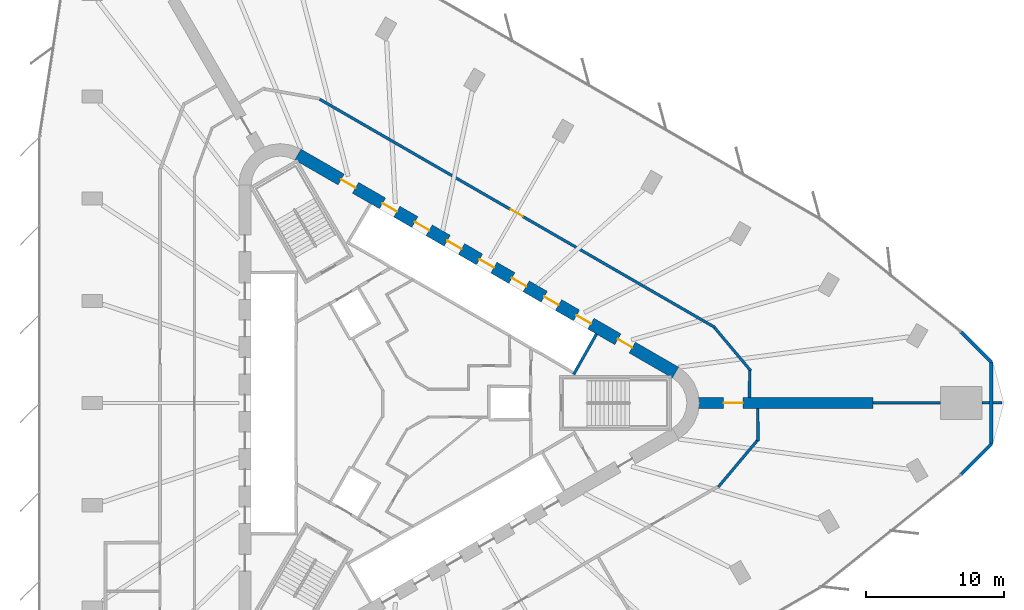
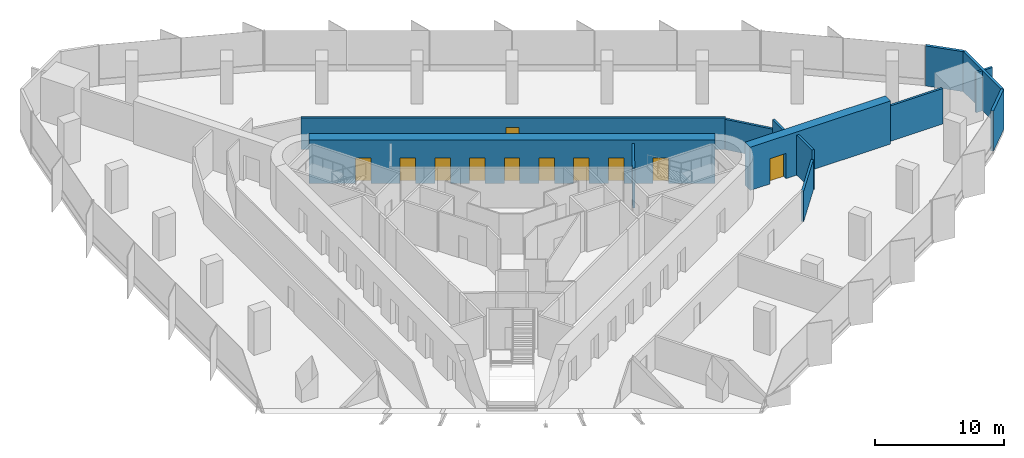
# One storey, part 13 of 15: 14 walls, 11 doors, 11 openings.
"""IFC4 building model written with IfcOpenShell, lengths in metres."""

from ifc_helpers import new_model, si_unit, direction, frame, frame_2d, origin, place, context, subcontext, project, spatial, rectangle, extrude, material, layer, layer_set, type_object, element, fill, save


model = new_model("IFC4")

# Units and contexts
model_context = context("Model", 3, precision=1e-05, world=origin(), true_north=direction((0.0, 1.0)))
body_context = subcontext(model_context, "Body", "Model", "MODEL_VIEW")
ifc_project = project(units=[si_unit("LENGTHUNIT", "METRE"), si_unit("AREAUNIT", "SQUARE_METRE"), si_unit("VOLUMEUNIT", "CUBIC_METRE"), si_unit("PLANEANGLEUNIT", "RADIAN"), si_unit("MASSUNIT", "GRAM", prefix="KILO")], contexts=[model_context])

# Site, building, storey
site_placement = place(None, origin())
site = spatial("IfcSite", under=ifc_project, at=site_placement, CompositionType="ELEMENT")
building_placement = place(site_placement, origin())
building = spatial("IfcBuilding", under=site, at=building_placement, Name="Tanit Gate Tower", CompositionType="ELEMENT")
storey_placement = place(building_placement, frame((0.0, 0.0, 139.800048828125)))
storey = spatial("IfcBuildingStorey", under=building, at=storey_placement, Name="L30", CompositionType="ELEMENT", Elevation=139.800048828125)

# Wall, opening, door
ifc_material_1 = material(Name="Concrete C60/75", Category="concrete")
ifc_layer_1 = layer(ifc_material_1, 0.800048828125)
ifc_layer_set_1 = layer_set([ifc_layer_1], Name="BUTTRESS FIN 800 C60/75")
wall_type_1 = type_object("IfcWallType", Name="BUTTRESS FIN 800 C60/75", PredefinedType="SHEAR", material=ifc_layer_set_1)
wall_1_placement = place(storey_placement, frame((21.14990234375, 0.0, 0.0), z_axis=(0.0, 0.0, 1.0), x_axis=(1.0, 0.0, 0.0)))
wall_1 = element("IfcWall", 1, at=wall_1_placement, inside=storey, type_object=wall_type_1, Name="BUTTRESS FIN", PredefinedType="SHEAR", context=body_context, shape_type="SweptSolid", body=[
    extrude(rectangle(XDim=12.59814453125, YDim=0.800048828125, at=frame_2d((6.299072265625, 0.0))), origin(), (0.0, 0.0, 1.0), 4.099853515625),
])
opening_1_placement = place(wall_1_placement, frame((1.800048828125, 0.0, 0.0)))
opening_1 = element("IfcOpeningElement", 2, at=opening_1_placement, cuts=wall_1, Name="Opening P14-S07-F-E-1", PredefinedType="OPENING", context=body_context, shape_type="SweptSolid", body=[
    extrude(rectangle(XDim=1.39990234375, YDim=2.39990234375, at=frame_2d((0.699951171875, 1.199951171875))), frame((0.0, 0.41015625, 0.0), z_axis=(0.0, -1.0, 0.0), x_axis=(1.0, 0.0, 0.0)), (0.0, 0.0, 1.0), 0.820068359375),
])
ifc_material_2 = material(Name="Timber door leaf", Category="wood")
door_type_1 = type_object("IfcDoorType", Name="INT-DOOR-FIN-PAIR-1400", OperationType="NOTDEFINED", PredefinedType="NOTDEFINED", material=ifc_material_2)
door_1_placement = place(opening_1_placement, origin())
door_1 = element("IfcDoor", 3, at=door_1_placement, inside=storey, type_object=door_type_1, Name="Door P14-S07-F-E-1", OperationType="DOUBLE_DOOR_SINGLE_SWING", OverallHeight=2.39990234375, OverallWidth=1.39990234375, PredefinedType="NOTDEFINED", context=body_context, shape_type="SweptSolid", body=[
    extrude(rectangle(XDim=1.39990234375, YDim=2.39990234375, at=frame_2d((0.699951171875, 1.199951171875))), frame((0.0, 0.02490234375, 0.0), z_axis=(0.0, -1.0, 0.0), x_axis=(1.0, 0.0, 0.0)), (0.0, 0.0, 1.0), 0.050048828125),
])
fill(opening_1, door_1)

# Wall, openings, doors
ifc_material_3 = material(Name="Concrete C60/75", Category="concrete")
ifc_layer_2 = layer(ifc_material_3, 0.89990234375)
ifc_layer_set_2 = layer_set([ifc_layer_2], Name="CORE WALL 900 C60/75")
wall_type_2 = type_object("IfcWallType", Name="CORE WALL 900 C60/75", PredefinedType="SHEAR", material=ifc_layer_set_2)
wall_2_placement = place(storey_placement, frame((19.47509765625, 2.20849609375, 0.0), z_axis=(0.0, 0.0, 1.0), x_axis=(-0.866028369851, 0.499994862586, 0.0)))
wall_2 = element("IfcWall", 4, at=wall_2_placement, inside=storey, type_object=wall_type_2, Name="CORE WALL", PredefinedType="SHEAR", context=body_context, shape_type="SweptSolid", body=[
    extrude(rectangle(XDim=31.523193359375, YDim=0.89990234375, at=frame_2d((15.76171875, 0.0))), origin(), (0.0, 0.0, 1.0), 4.099853515625),
])
opening_2_placement = place(wall_2_placement, frame((7.0615234375, 0.0, 0.0)))
opening_2 = element("IfcOpeningElement", 5, at=opening_2_placement, cuts=wall_2, Name="Opening LDLL8-S07", PredefinedType="OPENING", context=body_context, shape_type="SweptSolid", body=[
    extrude(rectangle(XDim=1.199951171875, YDim=2.39990234375, at=frame_2d((0.60009765625, 1.199951171875))), frame((0.0, 0.4599609375, 0.0), z_axis=(0.0, -1.0, 0.0), x_axis=(1.0, 0.0, 0.0)), (0.0, 0.0, 1.0), 0.919921875),
])
opening_3_placement = place(wall_2_placement, frame((9.76171875, 0.0, 0.0)))
opening_3 = element("IfcOpeningElement", 6, at=opening_3_placement, cuts=wall_2, Name="Opening LDLL9-S07", PredefinedType="OPENING", context=body_context, shape_type="SweptSolid", body=[
    extrude(rectangle(XDim=1.199951171875, YDim=2.39990234375, at=frame_2d((0.60009765625, 1.199951171875))), frame((0.0, 0.4599609375, 0.0), z_axis=(0.0, -1.0, 0.0), x_axis=(1.0, 0.0, 0.0)), (0.0, 0.0, 1.0), 0.919921875),
])
opening_4_placement = place(wall_2_placement, frame((12.461669921875, 0.0, 0.0)))
opening_4 = element("IfcOpeningElement", 7, at=opening_4_placement, cuts=wall_2, Name="Opening LDLL10-S07", PredefinedType="OPENING", context=body_context, shape_type="SweptSolid", body=[
    extrude(rectangle(XDim=1.199951171875, YDim=2.39990234375, at=frame_2d((0.60009765625, 1.199951171875))), frame((0.0, 0.4599609375, 0.0), z_axis=(0.0, -1.0, 0.0), x_axis=(1.0, 0.0, 0.0)), (0.0, 0.0, 1.0), 0.919921875),
])
opening_5_placement = place(wall_2_placement, frame((15.16162109375, 0.0, 0.0)))
opening_5 = element("IfcOpeningElement", 8, at=opening_5_placement, cuts=wall_2, Name="Opening LDSL1-S07", PredefinedType="OPENING", context=body_context, shape_type="SweptSolid", body=[
    extrude(rectangle(XDim=1.199951171875, YDim=2.39990234375, at=frame_2d((0.60009765625, 1.199951171875))), frame((0.0, 0.4599609375, 0.0), z_axis=(0.0, -1.0, 0.0), x_axis=(1.0, 0.0, 0.0)), (0.0, 0.0, 1.0), 0.919921875),
])
opening_6_placement = place(wall_2_placement, frame((17.861572265625, 0.0, 0.0)))
opening_6 = element("IfcOpeningElement", 9, at=opening_6_placement, cuts=wall_2, Name="Opening LDSL2-S07", PredefinedType="OPENING", context=body_context, shape_type="SweptSolid", body=[
    extrude(rectangle(XDim=1.199951171875, YDim=2.39990234375, at=frame_2d((0.60009765625, 1.199951171875))), frame((0.0, 0.4599609375, 0.0), z_axis=(0.0, -1.0, 0.0), x_axis=(1.0, 0.0, 0.0)), (0.0, 0.0, 1.0), 0.919921875),
])
opening_7_placement = place(wall_2_placement, frame((20.5615234375, 0.0, 0.0)))
opening_7 = element("IfcOpeningElement", 10, at=opening_7_placement, cuts=wall_2, Name="Opening LDSL3-S07", PredefinedType="OPENING", context=body_context, shape_type="SweptSolid", body=[
    extrude(rectangle(XDim=1.199951171875, YDim=2.39990234375, at=frame_2d((0.60009765625, 1.199951171875))), frame((0.0, 0.4599609375, 0.0), z_axis=(0.0, -1.0, 0.0), x_axis=(1.0, 0.0, 0.0)), (0.0, 0.0, 1.0), 0.919921875),
])
opening_8_placement = place(wall_2_placement, frame((23.26171875, 0.0, 0.0)))
opening_8 = element("IfcOpeningElement", 11, at=opening_8_placement, cuts=wall_2, Name="Opening LDSL4-S07", PredefinedType="OPENING", context=body_context, shape_type="SweptSolid", body=[
    extrude(rectangle(XDim=1.199951171875, YDim=2.39990234375, at=frame_2d((0.60009765625, 1.199951171875))), frame((0.0, 0.4599609375, 0.0), z_axis=(0.0, -1.0, 0.0), x_axis=(1.0, 0.0, 0.0)), (0.0, 0.0, 1.0), 0.919921875),
])
opening_9_placement = place(wall_2_placement, frame((3.611572265625, 0.0, 0.0)))
opening_9 = element("IfcOpeningElement", 12, at=opening_9_placement, cuts=wall_2, Name="Opening F12-S07-FL1", PredefinedType="OPENING", context=body_context, shape_type="SweptSolid", body=[
    extrude(rectangle(XDim=1.199951171875, YDim=2.39990234375, at=frame_2d((0.60009765625, 1.199951171875))), frame((0.0, 0.4599609375, 0.0), z_axis=(0.0, -1.0, 0.0), x_axis=(1.0, 0.0, 0.0)), (0.0, 0.0, 1.0), 0.919921875),
])
opening_10_placement = place(wall_2_placement, frame((26.711669921875, 0.0, 0.0)))
opening_10 = element("IfcOpeningElement", 13, at=opening_10_placement, cuts=wall_2, Name="Opening F12-S07-S2", PredefinedType="OPENING", context=body_context, shape_type="SweptSolid", body=[
    extrude(rectangle(XDim=1.199951171875, YDim=2.39990234375, at=frame_2d((0.60009765625, 1.199951171875))), frame((0.0, 0.4599609375, 0.0), z_axis=(0.0, -1.0, 0.0), x_axis=(1.0, 0.0, 0.0)), (0.0, 0.0, 1.0), 0.919921875),
])
ifc_material_4 = material(Name="Fire-rated steel door leaf", Category="steel")
door_type_2 = type_object("IfcDoorType", Name="INT-DOOR-FIRE-LOBBY-1200", OperationType="NOTDEFINED", PredefinedType="USERDEFINED", material=ifc_material_4)
door_2_placement = place(opening_9_placement, origin())
door_2 = element("IfcDoor", 14, at=door_2_placement, inside=storey, type_object=door_type_2, Name="Door F12-S07-FL1", ObjectType="FIRE DOOR", OperationType="SINGLE_SWING_RIGHT", OverallHeight=2.39990234375, OverallWidth=1.199951171875, PredefinedType="USERDEFINED", context=body_context, shape_type="SweptSolid", body=[
    extrude(rectangle(XDim=1.199951171875, YDim=2.39990234375, at=frame_2d((0.60009765625, 1.199951171875))), frame((0.0, 0.02490234375, 0.0), z_axis=(0.0, -1.0, 0.0), x_axis=(1.0, 0.0, 0.0)), (0.0, 0.0, 1.0), 0.050048828125),
])
fill(opening_9, door_2)
door_3_placement = place(opening_10_placement, origin())
door_3 = element("IfcDoor", 15, at=door_3_placement, inside=storey, type_object=door_type_2, Name="Door F12-S07-S2", ObjectType="FIRE DOOR", OperationType="SINGLE_SWING_LEFT", OverallHeight=2.39990234375, OverallWidth=1.199951171875, PredefinedType="USERDEFINED", context=body_context, shape_type="SweptSolid", body=[
    extrude(rectangle(XDim=1.199951171875, YDim=2.39990234375, at=frame_2d((0.60009765625, 1.199951171875))), frame((0.0, 0.02490234375, 0.0), z_axis=(0.0, -1.0, 0.0), x_axis=(1.0, 0.0, 0.0)), (0.0, 0.0, 1.0), 0.050048828125),
])
fill(opening_10, door_3)
ifc_material_5 = material(Name="Stainless steel sliding door leaf", Category="steel")
door_type_3 = type_object("IfcDoorType", Name="INT-DOOR-LANDING-1200", OperationType="NOTDEFINED", PredefinedType="USERDEFINED", material=ifc_material_5)
door_4_placement = place(opening_2_placement, origin())
door_4 = element("IfcDoor", 16, at=door_4_placement, inside=storey, type_object=door_type_3, Name="Door LDLL8-S07", ObjectType="LANDING DOOR", OperationType="SLIDING_TO_LEFT", OverallHeight=2.39990234375, OverallWidth=1.199951171875, PredefinedType="USERDEFINED", context=body_context, shape_type="SweptSolid", body=[
    extrude(rectangle(XDim=1.199951171875, YDim=2.39990234375, at=frame_2d((0.60009765625, 1.199951171875))), frame((0.0, 0.02490234375, 0.0), z_axis=(0.0, -1.0, 0.0), x_axis=(1.0, 0.0, 0.0)), (0.0, 0.0, 1.0), 0.050048828125),
])
fill(opening_2, door_4)
door_5_placement = place(opening_3_placement, origin())
door_5 = element("IfcDoor", 17, at=door_5_placement, inside=storey, type_object=door_type_3, Name="Door LDLL9-S07", ObjectType="LANDING DOOR", OperationType="SLIDING_TO_LEFT", OverallHeight=2.39990234375, OverallWidth=1.199951171875, PredefinedType="USERDEFINED", context=body_context, shape_type="SweptSolid", body=[
    extrude(rectangle(XDim=1.199951171875, YDim=2.39990234375, at=frame_2d((0.60009765625, 1.199951171875))), frame((0.0, 0.02490234375, 0.0), z_axis=(0.0, -1.0, 0.0), x_axis=(1.0, 0.0, 0.0)), (0.0, 0.0, 1.0), 0.050048828125),
])
fill(opening_3, door_5)
door_6_placement = place(opening_4_placement, origin())
door_6 = element("IfcDoor", 18, at=door_6_placement, inside=storey, type_object=door_type_3, Name="Door LDLL10-S07", ObjectType="LANDING DOOR", OperationType="SLIDING_TO_LEFT", OverallHeight=2.39990234375, OverallWidth=1.199951171875, PredefinedType="USERDEFINED", context=body_context, shape_type="SweptSolid", body=[
    extrude(rectangle(XDim=1.199951171875, YDim=2.39990234375, at=frame_2d((0.60009765625, 1.199951171875))), frame((0.0, 0.02490234375, 0.0), z_axis=(0.0, -1.0, 0.0), x_axis=(1.0, 0.0, 0.0)), (0.0, 0.0, 1.0), 0.050048828125),
])
fill(opening_4, door_6)
door_7_placement = place(opening_5_placement, origin())
door_7 = element("IfcDoor", 19, at=door_7_placement, inside=storey, type_object=door_type_3, Name="Door LDSL1-S07", ObjectType="LANDING DOOR", OperationType="SLIDING_TO_LEFT", OverallHeight=2.39990234375, OverallWidth=1.199951171875, PredefinedType="USERDEFINED", context=body_context, shape_type="SweptSolid", body=[
    extrude(rectangle(XDim=1.199951171875, YDim=2.39990234375, at=frame_2d((0.60009765625, 1.199951171875))), frame((0.0, 0.02490234375, 0.0), z_axis=(0.0, -1.0, 0.0), x_axis=(1.0, 0.0, 0.0)), (0.0, 0.0, 1.0), 0.050048828125),
])
fill(opening_5, door_7)
door_8_placement = place(opening_6_placement, origin())
door_8 = element("IfcDoor", 20, at=door_8_placement, inside=storey, type_object=door_type_3, Name="Door LDSL2-S07", ObjectType="LANDING DOOR", OperationType="SLIDING_TO_LEFT", OverallHeight=2.39990234375, OverallWidth=1.199951171875, PredefinedType="USERDEFINED", context=body_context, shape_type="SweptSolid", body=[
    extrude(rectangle(XDim=1.199951171875, YDim=2.39990234375, at=frame_2d((0.60009765625, 1.199951171875))), frame((0.0, 0.02490234375, 0.0), z_axis=(0.0, -1.0, 0.0), x_axis=(1.0, 0.0, 0.0)), (0.0, 0.0, 1.0), 0.050048828125),
])
fill(opening_6, door_8)
door_9_placement = place(opening_7_placement, origin())
door_9 = element("IfcDoor", 21, at=door_9_placement, inside=storey, type_object=door_type_3, Name="Door LDSL3-S07", ObjectType="LANDING DOOR", OperationType="SLIDING_TO_LEFT", OverallHeight=2.39990234375, OverallWidth=1.199951171875, PredefinedType="USERDEFINED", context=body_context, shape_type="SweptSolid", body=[
    extrude(rectangle(XDim=1.199951171875, YDim=2.39990234375, at=frame_2d((0.60009765625, 1.199951171875))), frame((0.0, 0.02490234375, 0.0), z_axis=(0.0, -1.0, 0.0), x_axis=(1.0, 0.0, 0.0)), (0.0, 0.0, 1.0), 0.050048828125),
])
fill(opening_7, door_9)
door_10_placement = place(opening_8_placement, origin())
door_10 = element("IfcDoor", 22, at=door_10_placement, inside=storey, type_object=door_type_3, Name="Door LDSL4-S07", ObjectType="LANDING DOOR", OperationType="SLIDING_TO_LEFT", OverallHeight=2.39990234375, OverallWidth=1.199951171875, PredefinedType="USERDEFINED", context=body_context, shape_type="SweptSolid", body=[
    extrude(rectangle(XDim=1.199951171875, YDim=2.39990234375, at=frame_2d((0.60009765625, 1.199951171875))), frame((0.0, 0.02490234375, 0.0), z_axis=(0.0, -1.0, 0.0), x_axis=(1.0, 0.0, 0.0)), (0.0, 0.0, 1.0), 0.050048828125),
])
fill(opening_8, door_10)

# Walls
ifc_material_6 = material(Name="Concrete C30/37 with bronze anodised aluminium cladding", Category="concrete")
ifc_layer_3 = layer(ifc_material_6, 0.239990234375)
ifc_layer_set_3 = layer_set([ifc_layer_3], Name="Facade wall bronze clad 240")
wall_type_3 = type_object("IfcWallType", Name="Facade wall bronze clad 240", PredefinedType="SOLIDWALL", material=ifc_layer_set_3)
wall_3_placement = place(storey_placement, frame((40.1201171875, -5.154052734375, 0.0), z_axis=(0.0, 0.0, 1.0), x_axis=(0.707146214964, 0.70706734521, 0.0)))
element("IfcWall", 23, at=wall_3_placement, inside=storey, type_object=wall_type_3, Name="Bronze-clad facade wall L30 E.arc1", PredefinedType="SOLIDWALL", context=body_context, shape_type="SweptSolid", body=[
    extrude(rectangle(XDim=3.095458984375, YDim=0.239990234375, at=frame_2d((1.5478515625, 0.0))), origin(), (0.0, 0.0, 1.0), 3.800048828125),
])
wall_4_placement = place(storey_placement, frame((42.30908203125, -2.96533203125, 0.0), z_axis=(0.0, 0.0, 1.0), x_axis=(0.0, 1.0, 0.0)))
element("IfcWall", 24, at=wall_4_placement, inside=storey, type_object=wall_type_3, Name="Bronze-clad facade wall L30 E.arc2", PredefinedType="SOLIDWALL", context=body_context, shape_type="SweptSolid", body=[
    extrude(rectangle(XDim=5.9306640625, YDim=0.239990234375, at=frame_2d((2.96533203125, 0.0))), origin(), (0.0, 0.0, 1.0), 3.800048828125),
])
wall_5_placement = place(storey_placement, frame((42.30908203125, 2.96533203125, 0.0), z_axis=(0.0, 0.0, 1.0), x_axis=(-0.707146214964, 0.70706734521, 0.0)))
element("IfcWall", 25, at=wall_5_placement, inside=storey, type_object=wall_type_3, Name="Bronze-clad facade wall L30 E.arc3", PredefinedType="SOLIDWALL", context=body_context, shape_type="SweptSolid", body=[
    extrude(rectangle(XDim=3.095458984375, YDim=0.239990234375, at=frame_2d((1.5478515625, 0.0))), origin(), (0.0, 0.0, 1.0), 3.800048828125),
])

# Wall, opening, door
ifc_material_7 = material(Name="Fire-rated gypsum board partition")
ifc_layer_4 = layer(ifc_material_7, 0.199951171875)
ifc_layer_set_4 = layer_set([ifc_layer_4], Name="INT-WALL-COMPARTMENT")
wall_type_4 = type_object("IfcWallType", Name="INT-WALL-COMPARTMENT", PredefinedType="PARTITIONING", material=ifc_layer_set_4)
wall_6_placement = place(storey_placement, frame((22.335693359375, 5.46435546875, 0.0), z_axis=(0.0, 0.0, 1.0), x_axis=(-0.866027503332, 0.499996363459, 0.0)))
wall_6 = element("IfcWall", 26, at=wall_6_placement, inside=storey, type_object=wall_type_4, Name="Wall Compartment W102", PredefinedType="PARTITIONING", context=body_context, shape_type="SweptSolid", body=[
    extrude(rectangle(XDim=33.022216796875, YDim=0.199951171875, at=frame_2d((16.51123046875, 0.0))), origin(), (0.0, 0.0, 1.0), 2.97998046875),
])
opening_11_placement = place(wall_6_placement, frame((16.06103515625, 0.0, 0.0)))
opening_11 = element("IfcOpeningElement", 27, at=opening_11_placement, cuts=wall_6, Name="Opening F10-S07-24", PredefinedType="OPENING", context=body_context, shape_type="SweptSolid", body=[
    extrude(rectangle(XDim=1.0, YDim=2.10009765625, at=frame_2d((0.5, 1.050048828125))), frame((0.0, 0.10986328125, 0.0), z_axis=(0.0, -1.0, 0.0), x_axis=(1.0, 0.0, 0.0)), (0.0, 0.0, 1.0), 0.219970703125),
])
ifc_material_8 = material(Name="Fire-rated steel door leaf", Category="steel")
door_type_4 = type_object("IfcDoorType", Name="INT-DOOR-FIRE-1000", OperationType="NOTDEFINED", PredefinedType="USERDEFINED", material=ifc_material_8)
door_11_placement = place(opening_11_placement, origin())
door_11 = element("IfcDoor", 28, at=door_11_placement, inside=storey, type_object=door_type_4, Name="Door F10-S07-24", ObjectType="FIRE DOOR", OperationType="SINGLE_SWING_LEFT", OverallHeight=2.10009765625, OverallWidth=1.0, PredefinedType="USERDEFINED", context=body_context, shape_type="SweptSolid", body=[
    extrude(rectangle(XDim=1.0, YDim=2.10009765625, at=frame_2d((0.5, 1.050048828125))), frame((0.0, 0.02490234375, 0.0), z_axis=(0.0, -1.0, 0.0), x_axis=(1.0, 0.0, 0.0)), (0.0, 0.0, 1.0), 0.050048828125),
])
fill(opening_11, door_11)

# Walls
wall_7_placement = place(storey_placement, frame((24.9208984375, 2.330078125, 0.0), z_axis=(0.0, 0.0, 1.0), x_axis=(-0.642791169301, 0.766041456234, 0.0)))
element("IfcWall", 29, at=wall_7_placement, inside=storey, type_object=wall_type_4, Name="Wall Compartment W103", PredefinedType="PARTITIONING", context=body_context, shape_type="SweptSolid", body=[
    extrude(rectangle(XDim=4.056884765625, YDim=0.199951171875, at=frame_2d((2.0283203125, 0.0))), origin(), (0.0, 0.0, 1.0), 2.8798828125),
])
wall_8_placement = place(storey_placement, frame((24.8212890625, 0.39990234375, 0.0), z_axis=(0.0, 0.0, 1.0), x_axis=(0.01239062247, 0.999923233291, 0.0)))
element("IfcWall", 30, at=wall_8_placement, inside=storey, type_object=wall_type_4, Name="Wall Compartment W104", PredefinedType="PARTITIONING", context=body_context, shape_type="SweptSolid", body=[
    extrude(rectangle(XDim=1.970458984375, YDim=0.199951171875, at=frame_2d((0.9853515625, 0.0))), origin(), (0.0, 0.0, 1.0), 3.800048828125),
])
wall_9_placement = place(storey_placement, frame((25.447509765625, -2.75390625, 0.0), z_axis=(0.0, 0.0, 1.0), x_axis=(-0.011407679147, 0.999934930311, 0.0)))
element("IfcWall", 31, at=wall_9_placement, inside=storey, type_object=wall_type_4, Name="Wall Compartment W105", PredefinedType="PARTITIONING", context=body_context, shape_type="SweptSolid", body=[
    extrude(rectangle(XDim=2.354248046875, YDim=0.199951171875, at=frame_2d((1.17724609375, 0.0))), origin(), (0.0, 0.0, 1.0), 3.800048828125),
])
wall_10_placement = place(storey_placement, frame((22.576416015625, -6.0576171875, 0.0), z_axis=(0.0, 0.0, 1.0), x_axis=(0.642769295272, 0.766059810364, 0.0)))
element("IfcWall", 32, at=wall_10_placement, inside=storey, type_object=wall_type_4, Name="Wall Compartment W106", PredefinedType="PARTITIONING", context=body_context, shape_type="SweptSolid", body=[
    extrude(rectangle(XDim=4.415771484375, YDim=0.199951171875, at=frame_2d((2.2080078125, 0.0))), origin(), (0.0, 0.0, 1.0), 2.8798828125),
])
wall_11_placement = place(storey_placement, frame((33.748046875, 0.018798828125, 0.0), z_axis=(0.0, 0.0, 1.0), x_axis=(0.999997351569, 0.002301489877, 0.0)))
element("IfcWall", 33, at=wall_11_placement, inside=storey, type_object=wall_type_4, Name="Wall Compartment W127", PredefinedType="PARTITIONING", context=body_context, shape_type="SweptSolid", body=[
    extrude(rectangle(XDim=4.879638671875, YDim=0.199951171875, at=frame_2d((2.43994140625, 0.0))), origin(), (0.0, 0.0, 1.0), 3.369873046875),
])
wall_12_placement = place(storey_placement, frame((41.627685546875, 0.030029296875, 0.0), z_axis=(0.0, 0.0, 1.0), x_axis=(1.0, 0.0, 0.0)))
element("IfcWall", 34, at=wall_12_placement, inside=storey, type_object=wall_type_4, Name="Wall Compartment W128", PredefinedType="PARTITIONING", context=body_context, shape_type="SweptSolid", body=[
    extrude(rectangle(XDim=0.561279296875, YDim=0.199951171875, at=frame_2d((0.28076171875, 0.0))), origin(), (0.0, 0.0, 1.0), 3.800048828125),
])
wall_13_placement = place(storey_placement, frame((42.428955078125, 0.030029296875, 0.0), z_axis=(0.0, 0.0, 1.0), x_axis=(1.0, 0.0, 0.0)))
element("IfcWall", 35, at=wall_13_placement, inside=storey, type_object=wall_type_4, Name="Wall Compartment W128x1", PredefinedType="PARTITIONING", context=body_context, shape_type="SweptSolid", body=[
    extrude(rectangle(XDim=0.66650390625, YDim=0.199951171875, at=frame_2d((0.333251953125, 0.0))), origin(), (0.0, 0.0, 1.0), 3.800048828125),
])
ifc_material_9 = material(Name="Gypsum shaft wall system")
ifc_layer_5 = layer(ifc_material_9, 0.199951171875)
ifc_layer_set_5 = layer_set([ifc_layer_5], Name="INT-WALL-SHAFT")
wall_type_5 = type_object("IfcWallType", Name="INT-WALL-SHAFT", PredefinedType="PLUMBINGWALL", material=ifc_layer_set_5)
wall_14_placement = place(storey_placement, frame((12.10986328125, 2.07275390625, 0.0), z_axis=(0.0, 0.0, 1.0), x_axis=(0.49196600604, 0.870614408852, 0.0)))
element("IfcWall", 36, at=wall_14_placement, inside=storey, type_object=wall_type_5, Name="Wall Shaft W013", PredefinedType="PLUMBINGWALL", context=body_context, shape_type="SweptSolid", body=[
    extrude(rectangle(XDim=3.35009765625, YDim=0.199951171875, at=frame_2d((1.675048828125, 0.0))), origin(), (0.0, 0.0, 1.0), 3.800048828125),
])

save(model, "model.ifc")
